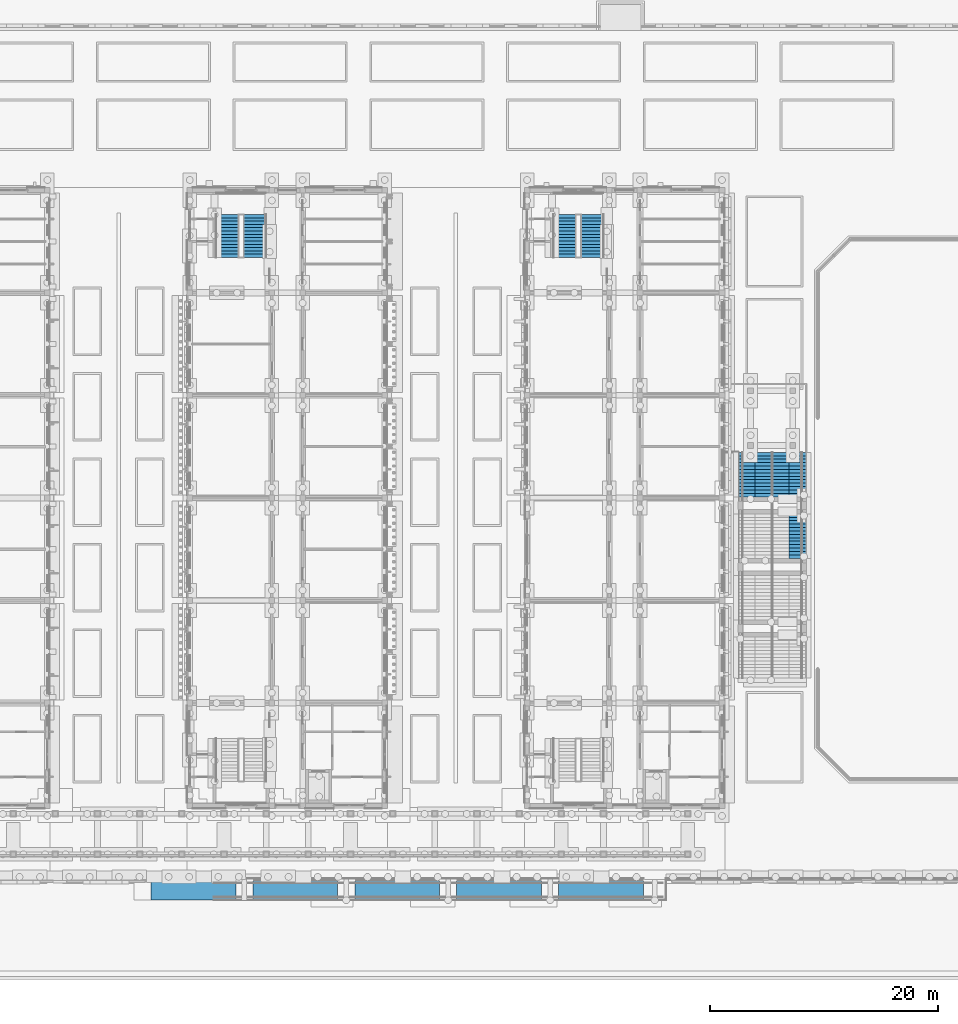
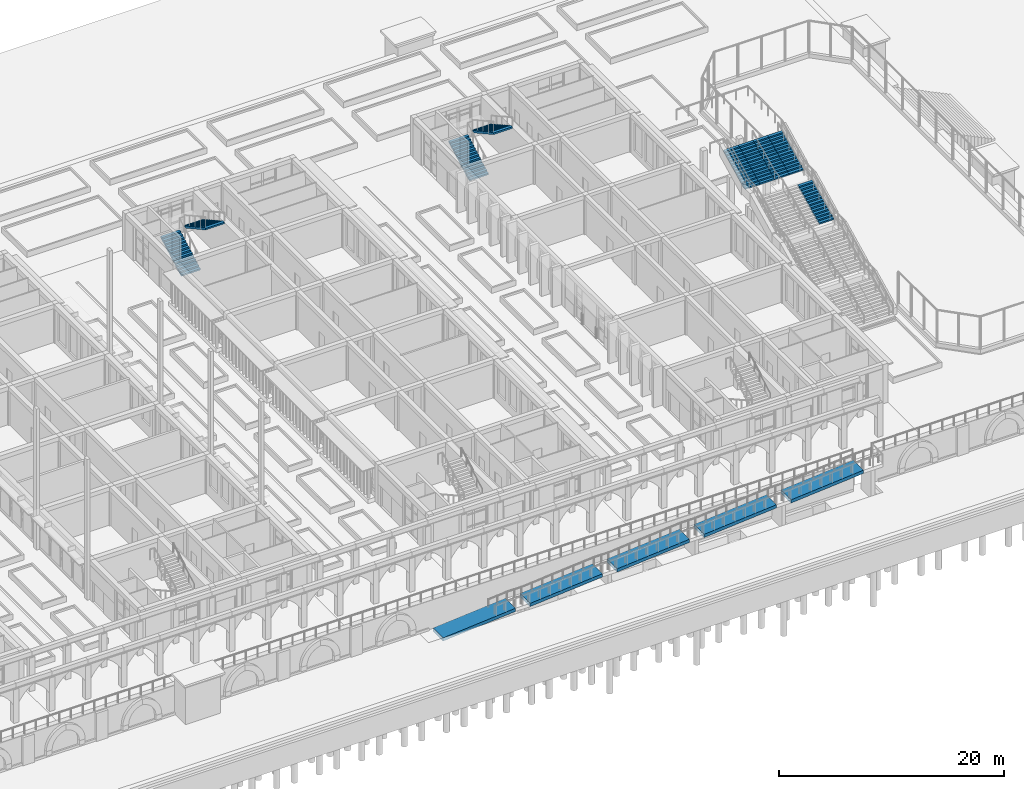
# One storey, part 77 of 161: 9 stair flights, 5 ramp flights, 4 elements without a shape of their own.
"""IFC4 building model written with IfcOpenShell, lengths in metres."""

from ifc_helpers import new_model, si_unit, direction, frame, origin, place, context, subcontext, project, spatial, polyline, outline, extrude, material, type_object, element, aggregate, save


model = new_model("IFC4")

# Units and contexts
model_context = context("Model", 3, precision=1e-05, world=origin(), true_north=direction((0.0, 1.0)))
body_context = subcontext(model_context, "Body", "Model", "MODEL_VIEW")
ifc_project = project(units=[si_unit("LENGTHUNIT", "METRE"), si_unit("AREAUNIT", "SQUARE_METRE"), si_unit("VOLUMEUNIT", "CUBIC_METRE"), si_unit("PLANEANGLEUNIT", "RADIAN"), si_unit("MASSUNIT", "GRAM", prefix="KILO")], contexts=[model_context])

# Site, building, storey
site_placement = place(None, origin())
site = spatial("IfcSite", under=ifc_project, at=site_placement, CompositionType="ELEMENT")
building_placement = place(site_placement, origin())
building = spatial("IfcBuilding", under=site, at=building_placement, Name="Elbe Cascade School", CompositionType="ELEMENT")
storey_placement = place(building_placement, origin())
storey = spatial("IfcBuildingStorey", under=building, at=storey_placement, Name="L00", CompositionType="ELEMENT", Elevation=0.0)

# Stair, stair flights
ifc_material_1 = material(Name="Concrete C30/37", Category="concrete")
stair_type_1 = type_object("IfcStairType", Name="Bar stair RC 150", PredefinedType="HALF_TURN_STAIR", material=ifc_material_1)
stair_1_placement = place(storey_placement, origin())
stair_1 = element("IfcStair", 1, at=stair_1_placement, inside=storey, type_object=stair_type_1, Name="Stair C0.N", PredefinedType="HALF_TURN_STAIR")
ifc_material_2 = material(Name="Concrete C30/37", Category="concrete")
stair_flight_type_1 = type_object("IfcStairFlightType", Name="Bar stair flight RC", PredefinedType="STRAIGHT", material=ifc_material_2)
stair_flight_1_placement = place(storey_placement, frame((131.47509765625, 54.10009765625, 0.0), z_axis=(0.0, 0.0, 1.0), x_axis=(0.0, 1.0, 0.0)))
stair_flight_1 = element("IfcStairFlight", 2, at=stair_flight_1_placement, type_object=stair_flight_type_1, Name="ST3 flight 1", NumberOfRisers=14, NumberOfTreads=13, PredefinedType="STRAIGHT", RiserHeight=0.160714286, TreadLength=0.29, context=body_context, shape_type="SweptSolid", body=[
    extrude(outline(polyline([(0.0, 0.0), (0.0, 0.16064453125), (0.2900390625, 0.16064453125), (0.2900390625, 0.321533203125), (0.580078125, 0.321533203125), (0.580078125, 0.482177734375), (0.8701171875, 0.482177734375), (0.8701171875, 0.642822265625), (1.159912109375, 0.642822265625), (1.159912109375, 0.803466796875), (1.449951171875, 0.803466796875), (1.449951171875, 0.96435546875), (1.739990234375, 0.96435546875), (1.739990234375, 1.125), (2.030029296875, 1.125), (2.030029296875, 1.28564453125), (2.320068359375, 1.28564453125), (2.320068359375, 1.446533203125), (2.610107421875, 1.446533203125), (2.610107421875, 1.607177734375), (2.89990234375, 1.607177734375), (2.89990234375, 1.767822265625), (3.18994140625, 1.767822265625), (3.18994140625, 1.928466796875), (3.47998046875, 1.928466796875), (3.47998046875, 2.08935546875), (3.77001953125, 2.08935546875), (3.77001953125, 2.25), (3.77001953125, 1.91796875), (0.309326171875, 0.0), (0.0, 0.0)])), frame((0.0, 0.97509765625, 0.0), z_axis=(0.0, -1.0, 0.0), x_axis=(1.0, 0.0, 0.0)), (0.0, 0.0, 1.0), 1.949951171875),
])
stair_flight_2_placement = place(storey_placement, frame((133.925048828125, 57.8701171875, 2.25), z_axis=(0.0, 0.0, 1.0), x_axis=(0.0, -1.0, 0.0)))
stair_flight_2 = element("IfcStairFlight", 3, at=stair_flight_2_placement, type_object=stair_flight_type_1, Name="ST3 flight 2", NumberOfRisers=14, NumberOfTreads=13, PredefinedType="STRAIGHT", RiserHeight=0.160714286, TreadLength=0.29, context=body_context, shape_type="SweptSolid", body=[
    extrude(outline(polyline([(0.0, 0.0), (0.0, 0.16064453125), (0.2900390625, 0.16064453125), (0.2900390625, 0.321533203125), (0.580078125, 0.321533203125), (0.580078125, 0.482177734375), (0.8701171875, 0.482177734375), (0.8701171875, 0.642822265625), (1.159912109375, 0.642822265625), (1.159912109375, 0.803466796875), (1.449951171875, 0.803466796875), (1.449951171875, 0.96435546875), (1.739990234375, 0.96435546875), (1.739990234375, 1.125), (2.030029296875, 1.125), (2.030029296875, 1.28564453125), (2.320068359375, 1.28564453125), (2.320068359375, 1.446533203125), (2.610107421875, 1.446533203125), (2.610107421875, 1.607177734375), (2.89990234375, 1.607177734375), (2.89990234375, 1.767822265625), (3.18994140625, 1.767822265625), (3.18994140625, 1.928466796875), (3.47998046875, 1.928466796875), (3.47998046875, 2.08935546875), (3.77001953125, 2.08935546875), (3.77001953125, 2.25), (3.77001953125, 1.91796875), (0.309326171875, 0.0), (0.0, 0.0)])), frame((0.0, 0.97509765625, 0.0), z_axis=(0.0, -1.0, 0.0), x_axis=(1.0, 0.0, 0.0)), (0.0, 0.0, 1.0), 1.949951171875),
])
aggregate(stair_1, [stair_flight_1, stair_flight_2])

stair_2_placement = place(storey_placement, origin())
stair_2 = element("IfcStair", 4, at=stair_2_placement, inside=storey, type_object=stair_type_1, Name="Stair D0.N", PredefinedType="HALF_TURN_STAIR")
stair_flight_3_placement = place(storey_placement, frame((161.074951171875, 54.10009765625, 0.0), z_axis=(0.0, 0.0, 1.0), x_axis=(0.0, 1.0, 0.0)))
stair_flight_3 = element("IfcStairFlight", 5, at=stair_flight_3_placement, type_object=stair_flight_type_1, Name="ST3 flight 1", NumberOfRisers=14, NumberOfTreads=13, PredefinedType="STRAIGHT", RiserHeight=0.160714286, TreadLength=0.29, context=body_context, shape_type="SweptSolid", body=[
    extrude(outline(polyline([(0.0, 0.0), (0.0, 0.16064453125), (0.2900390625, 0.16064453125), (0.2900390625, 0.321533203125), (0.580078125, 0.321533203125), (0.580078125, 0.482177734375), (0.8701171875, 0.482177734375), (0.8701171875, 0.642822265625), (1.159912109375, 0.642822265625), (1.159912109375, 0.803466796875), (1.449951171875, 0.803466796875), (1.449951171875, 0.96435546875), (1.739990234375, 0.96435546875), (1.739990234375, 1.125), (2.030029296875, 1.125), (2.030029296875, 1.28564453125), (2.320068359375, 1.28564453125), (2.320068359375, 1.446533203125), (2.610107421875, 1.446533203125), (2.610107421875, 1.607177734375), (2.89990234375, 1.607177734375), (2.89990234375, 1.767822265625), (3.18994140625, 1.767822265625), (3.18994140625, 1.928466796875), (3.47998046875, 1.928466796875), (3.47998046875, 2.08935546875), (3.77001953125, 2.08935546875), (3.77001953125, 2.25), (3.77001953125, 1.91796875), (0.309326171875, 0.0), (0.0, 0.0)])), frame((0.0, 0.97509765625, 0.0), z_axis=(0.0, -1.0, 0.0), x_axis=(1.0, 0.0, 0.0)), (0.0, 0.0, 1.0), 1.949951171875),
])
stair_flight_4_placement = place(storey_placement, frame((163.52490234375, 57.8701171875, 2.25), z_axis=(0.0, 0.0, 1.0), x_axis=(0.0, -1.0, 0.0)))
stair_flight_4 = element("IfcStairFlight", 6, at=stair_flight_4_placement, type_object=stair_flight_type_1, Name="ST3 flight 2", NumberOfRisers=14, NumberOfTreads=13, PredefinedType="STRAIGHT", RiserHeight=0.160714286, TreadLength=0.29, context=body_context, shape_type="SweptSolid", body=[
    extrude(outline(polyline([(0.0, 0.0), (0.0, 0.16064453125), (0.2900390625, 0.16064453125), (0.2900390625, 0.321533203125), (0.580078125, 0.321533203125), (0.580078125, 0.482177734375), (0.8701171875, 0.482177734375), (0.8701171875, 0.642822265625), (1.159912109375, 0.642822265625), (1.159912109375, 0.803466796875), (1.449951171875, 0.803466796875), (1.449951171875, 0.96435546875), (1.739990234375, 0.96435546875), (1.739990234375, 1.125), (2.030029296875, 1.125), (2.030029296875, 1.28564453125), (2.320068359375, 1.28564453125), (2.320068359375, 1.446533203125), (2.610107421875, 1.446533203125), (2.610107421875, 1.607177734375), (2.89990234375, 1.607177734375), (2.89990234375, 1.767822265625), (3.18994140625, 1.767822265625), (3.18994140625, 1.928466796875), (3.47998046875, 1.928466796875), (3.47998046875, 2.08935546875), (3.77001953125, 2.08935546875), (3.77001953125, 2.25), (3.77001953125, 1.91796875), (0.309326171875, 0.0), (0.0, 0.0)])), frame((0.0, 0.97509765625, 0.0), z_axis=(0.0, -1.0, 0.0), x_axis=(1.0, 0.0, 0.0)), (0.0, 0.0, 1.0), 1.949951171875),
])
aggregate(stair_2, [stair_flight_3, stair_flight_4])

ifc_material_3 = material(Name="Concrete C30/37", Category="concrete")
stair_type_2 = type_object("IfcStairType", Name="Cascade steps", PredefinedType="STRAIGHT_RUN_STAIR", material=ifc_material_3)
stair_3_placement = place(storey_placement, origin())
stair_3 = element("IfcStair", 7, at=stair_3_placement, inside=storey, type_object=stair_type_2, Name="Cascade steps", PredefinedType="STRAIGHT_RUN_STAIR")
ifc_material_4 = material(Name="Concrete C30/37", Category="concrete")
stair_flight_type_2 = type_object("IfcStairFlightType", Name="Cascade steps flight", PredefinedType="STRAIGHT", material=ifc_material_4)
stair_flight_5_placement = place(storey_placement, frame((181.550048828125, 27.699951171875, 4.03515625), z_axis=(0.0, 0.0, 1.0), x_axis=(0.0, 1.0, 0.0)))
stair_flight_5 = element("IfcStairFlight", 8, at=stair_flight_5_placement, type_object=stair_flight_type_2, Name="ST2 flight 12", NumberOfRisers=14, NumberOfTreads=13, PredefinedType="STRAIGHT", RiserHeight=0.149454545, TreadLength=0.3, context=body_context, shape_type="SweptSolid", body=[
    extrude(outline(polyline([(0.0, 0.0), (0.0, 0.1494140625), (0.300048828125, 0.1494140625), (0.300048828125, 0.298828125), (0.60009765625, 0.298828125), (0.60009765625, 0.4482421875), (0.89990234375, 0.4482421875), (0.89990234375, 0.597900390625), (1.199951171875, 0.597900390625), (1.199951171875, 0.747314453125), (1.5, 0.747314453125), (1.5, 0.896728515625), (1.800048828125, 0.896728515625), (1.800048828125, 1.046142578125), (2.10009765625, 1.046142578125), (2.10009765625, 1.195556640625), (2.39990234375, 1.195556640625), (2.39990234375, 1.344970703125), (2.699951171875, 1.344970703125), (2.699951171875, 1.49462890625), (3.0, 1.49462890625), (3.0, 1.64404296875), (3.300048828125, 1.64404296875), (3.300048828125, 1.79345703125), (3.60009765625, 1.79345703125), (3.60009765625, 1.94287109375), (3.89990234375, 1.94287109375), (3.89990234375, 2.09228515625), (3.89990234375, 1.775390625), (0.336181640625, 0.0), (0.0, 0.0)])), frame((0.0, 0.75, 0.0), z_axis=(0.0, -1.0, 0.0), x_axis=(1.0, 0.0, 0.0)), (0.0, 0.0, 1.0), 1.5),
])
stair_flight_6_placement = place(storey_placement, frame((177.050048828125, 33.10009765625, 6.127685546875), z_axis=(0.0, 0.0, 1.0), x_axis=(0.0, 1.0, 0.0)))
stair_flight_6 = element("IfcStairFlight", 9, at=stair_flight_6_placement, type_object=stair_flight_type_2, Name="ST2 flight 13", NumberOfRisers=14, NumberOfTreads=13, PredefinedType="STRAIGHT", RiserHeight=0.149454545, TreadLength=0.3, context=body_context, shape_type="SweptSolid", body=[
    extrude(outline(polyline([(0.0, 0.0), (0.0, 0.1494140625), (0.300048828125, 0.1494140625), (0.300048828125, 0.298828125), (0.60009765625, 0.298828125), (0.60009765625, 0.4482421875), (0.89990234375, 0.4482421875), (0.89990234375, 0.597900390625), (1.199951171875, 0.597900390625), (1.199951171875, 0.747314453125), (1.5, 0.747314453125), (1.5, 0.896728515625), (1.800048828125, 0.896728515625), (1.800048828125, 1.046142578125), (2.10009765625, 1.046142578125), (2.10009765625, 1.195556640625), (2.39990234375, 1.195556640625), (2.39990234375, 1.344970703125), (2.699951171875, 1.344970703125), (2.699951171875, 1.49462890625), (3.0, 1.49462890625), (3.0, 1.64404296875), (3.300048828125, 1.64404296875), (3.300048828125, 1.79345703125), (3.60009765625, 1.79345703125), (3.60009765625, 1.94287109375), (3.89990234375, 1.94287109375), (3.89990234375, 2.09228515625), (3.89990234375, 1.775390625), (0.336181640625, 0.0), (0.0, 0.0)])), frame((0.0, 0.75, 0.0), z_axis=(0.0, -1.0, 0.0), x_axis=(1.0, 0.0, 0.0)), (0.0, 0.0, 1.0), 1.5),
])
stair_flight_7_placement = place(storey_placement, frame((178.550048828125, 33.10009765625, 6.127685546875), z_axis=(0.0, 0.0, 1.0), x_axis=(0.0, 1.0, 0.0)))
stair_flight_7 = element("IfcStairFlight", 10, at=stair_flight_7_placement, type_object=stair_flight_type_2, Name="ST2 flight 14", NumberOfRisers=14, NumberOfTreads=13, PredefinedType="STRAIGHT", RiserHeight=0.149454545, TreadLength=0.3, context=body_context, shape_type="SweptSolid", body=[
    extrude(outline(polyline([(0.0, 0.0), (0.0, 0.1494140625), (0.300048828125, 0.1494140625), (0.300048828125, 0.298828125), (0.60009765625, 0.298828125), (0.60009765625, 0.4482421875), (0.89990234375, 0.4482421875), (0.89990234375, 0.597900390625), (1.199951171875, 0.597900390625), (1.199951171875, 0.747314453125), (1.5, 0.747314453125), (1.5, 0.896728515625), (1.800048828125, 0.896728515625), (1.800048828125, 1.046142578125), (2.10009765625, 1.046142578125), (2.10009765625, 1.195556640625), (2.39990234375, 1.195556640625), (2.39990234375, 1.344970703125), (2.699951171875, 1.344970703125), (2.699951171875, 1.49462890625), (3.0, 1.49462890625), (3.0, 1.64404296875), (3.300048828125, 1.64404296875), (3.300048828125, 1.79345703125), (3.60009765625, 1.79345703125), (3.60009765625, 1.94287109375), (3.89990234375, 1.94287109375), (3.89990234375, 2.09228515625), (3.89990234375, 1.775390625), (0.336181640625, 0.0), (0.0, 0.0)])), frame((0.0, 0.75, 0.0), z_axis=(0.0, -1.0, 0.0), x_axis=(1.0, 0.0, 0.0)), (0.0, 0.0, 1.0), 1.5),
])
stair_flight_8_placement = place(storey_placement, frame((180.050048828125, 33.10009765625, 6.127685546875), z_axis=(0.0, 0.0, 1.0), x_axis=(0.0, 1.0, 0.0)))
stair_flight_8 = element("IfcStairFlight", 11, at=stair_flight_8_placement, type_object=stair_flight_type_2, Name="ST2 flight 15", NumberOfRisers=14, NumberOfTreads=13, PredefinedType="STRAIGHT", RiserHeight=0.149454545, TreadLength=0.3, context=body_context, shape_type="SweptSolid", body=[
    extrude(outline(polyline([(0.0, 0.0), (0.0, 0.1494140625), (0.300048828125, 0.1494140625), (0.300048828125, 0.298828125), (0.60009765625, 0.298828125), (0.60009765625, 0.4482421875), (0.89990234375, 0.4482421875), (0.89990234375, 0.597900390625), (1.199951171875, 0.597900390625), (1.199951171875, 0.747314453125), (1.5, 0.747314453125), (1.5, 0.896728515625), (1.800048828125, 0.896728515625), (1.800048828125, 1.046142578125), (2.10009765625, 1.046142578125), (2.10009765625, 1.195556640625), (2.39990234375, 1.195556640625), (2.39990234375, 1.344970703125), (2.699951171875, 1.344970703125), (2.699951171875, 1.49462890625), (3.0, 1.49462890625), (3.0, 1.64404296875), (3.300048828125, 1.64404296875), (3.300048828125, 1.79345703125), (3.60009765625, 1.79345703125), (3.60009765625, 1.94287109375), (3.89990234375, 1.94287109375), (3.89990234375, 2.09228515625), (3.89990234375, 1.775390625), (0.336181640625, 0.0), (0.0, 0.0)])), frame((0.0, 0.75, 0.0), z_axis=(0.0, -1.0, 0.0), x_axis=(1.0, 0.0, 0.0)), (0.0, 0.0, 1.0), 1.5),
])
stair_flight_9_placement = place(storey_placement, frame((181.550048828125, 33.10009765625, 6.127685546875), z_axis=(0.0, 0.0, 1.0), x_axis=(0.0, 1.0, 0.0)))
stair_flight_9 = element("IfcStairFlight", 12, at=stair_flight_9_placement, type_object=stair_flight_type_2, Name="ST2 flight 16", NumberOfRisers=14, NumberOfTreads=13, PredefinedType="STRAIGHT", RiserHeight=0.149454545, TreadLength=0.3, context=body_context, shape_type="SweptSolid", body=[
    extrude(outline(polyline([(0.0, 0.0), (0.0, 0.1494140625), (0.300048828125, 0.1494140625), (0.300048828125, 0.298828125), (0.60009765625, 0.298828125), (0.60009765625, 0.4482421875), (0.89990234375, 0.4482421875), (0.89990234375, 0.597900390625), (1.199951171875, 0.597900390625), (1.199951171875, 0.747314453125), (1.5, 0.747314453125), (1.5, 0.896728515625), (1.800048828125, 0.896728515625), (1.800048828125, 1.046142578125), (2.10009765625, 1.046142578125), (2.10009765625, 1.195556640625), (2.39990234375, 1.195556640625), (2.39990234375, 1.344970703125), (2.699951171875, 1.344970703125), (2.699951171875, 1.49462890625), (3.0, 1.49462890625), (3.0, 1.64404296875), (3.300048828125, 1.64404296875), (3.300048828125, 1.79345703125), (3.60009765625, 1.79345703125), (3.60009765625, 1.94287109375), (3.89990234375, 1.94287109375), (3.89990234375, 2.09228515625), (3.89990234375, 1.775390625), (0.336181640625, 0.0), (0.0, 0.0)])), frame((0.0, 0.75, 0.0), z_axis=(0.0, -1.0, 0.0), x_axis=(1.0, 0.0, 0.0)), (0.0, 0.0, 1.0), 1.5),
])
aggregate(stair_3, [stair_flight_5, stair_flight_6, stair_flight_7, stair_flight_8, stair_flight_9])

# Ramp, ramp flights
ifc_material_5 = material(Name="Concrete C30/37", Category="concrete")
ramp_type = type_object("IfcRampType", Name="Quay ramp", PredefinedType="STRAIGHT_RUN_RAMP", material=ifc_material_5)
ramp_placement = place(storey_placement, origin())
ramp = element("IfcRamp", 13, at=ramp_placement, inside=storey, type_object=ramp_type, Name="Quay ramp", PredefinedType="STRAIGHT_RUN_RAMP")
ifc_material_6 = material(Name="Concrete C30/37", Category="concrete")
ramp_flight_type = type_object("IfcRampFlightType", Name="Quay ramp flight", PredefinedType="STRAIGHT", material=ifc_material_6)
ramp_flight_1_placement = place(storey_placement, frame((124.800048828125, -1.39990234375, -3.10009765625), z_axis=(0.0, 0.0, 1.0), x_axis=(1.0, 0.0, 0.0)))
ramp_flight_1 = element("IfcRampFlight", 14, at=ramp_flight_1_placement, type_object=ramp_flight_type, Name="RP1 flight 1", PredefinedType="STRAIGHT", context=body_context, shape_type="SweptSolid", body=[
    extrude(outline(polyline([(0.0, -0.35009765625), (7.43994140625, 0.27001953125), (7.43994140625, 0.6201171875), (0.0, 0.0), (0.0, -0.35009765625)])), frame((0.0, 0.89990234375, 0.0), z_axis=(0.0, -1.0, 0.0), x_axis=(1.0, 0.0, 0.0)), (0.0, 0.0, 1.0), 1.800048828125),
])
ramp_flight_2_placement = place(storey_placement, frame((133.739990234375, -1.39990234375, -2.47998046875), z_axis=(0.0, 0.0, 1.0), x_axis=(1.0, 0.0, 0.0)))
ramp_flight_2 = element("IfcRampFlight", 15, at=ramp_flight_2_placement, type_object=ramp_flight_type, Name="RP1 flight 2", PredefinedType="STRAIGHT", context=body_context, shape_type="SweptSolid", body=[
    extrude(outline(polyline([(0.0, -0.35009765625), (7.43994140625, 0.269775390625), (7.43994140625, 0.619873046875), (0.0, 0.0), (0.0, -0.35009765625)])), frame((0.0, 0.89990234375, 0.0), z_axis=(0.0, -1.0, 0.0), x_axis=(1.0, 0.0, 0.0)), (0.0, 0.0, 1.0), 1.800048828125),
])
ramp_flight_3_placement = place(storey_placement, frame((142.679931640625, -1.39990234375, -1.860107421875), z_axis=(0.0, 0.0, 1.0), x_axis=(1.0, 0.0, 0.0)))
ramp_flight_3 = element("IfcRampFlight", 16, at=ramp_flight_3_placement, type_object=ramp_flight_type, Name="RP1 flight 3", PredefinedType="STRAIGHT", context=body_context, shape_type="SweptSolid", body=[
    extrude(outline(polyline([(0.0, -0.35009765625), (7.440185546875, 0.27001953125), (7.440185546875, 0.6201171875), (0.0, 0.0), (0.0, -0.35009765625)])), frame((0.0, 0.89990234375, 0.0), z_axis=(0.0, -1.0, 0.0), x_axis=(1.0, 0.0, 0.0)), (0.0, 0.0, 1.0), 1.800048828125),
])
ramp_flight_4_placement = place(storey_placement, frame((151.6201171875, -1.39990234375, -1.239990234375), z_axis=(0.0, 0.0, 1.0), x_axis=(1.0, 0.0, 0.0)))
ramp_flight_4 = element("IfcRampFlight", 17, at=ramp_flight_4_placement, type_object=ramp_flight_type, Name="RP1 flight 4", PredefinedType="STRAIGHT", context=body_context, shape_type="SweptSolid", body=[
    extrude(outline(polyline([(0.0, -0.35009765625), (7.43994140625, 0.269775390625), (7.43994140625, 0.619873046875), (0.0, 0.0), (0.0, -0.35009765625)])), frame((0.0, 0.89990234375, 0.0), z_axis=(0.0, -1.0, 0.0), x_axis=(1.0, 0.0, 0.0)), (0.0, 0.0, 1.0), 1.800048828125),
])
ramp_flight_5_placement = place(storey_placement, frame((160.56005859375, -1.39990234375, -0.6201171875), z_axis=(0.0, 0.0, 1.0), x_axis=(1.0, 0.0, 0.0)))
ramp_flight_5 = element("IfcRampFlight", 18, at=ramp_flight_5_placement, type_object=ramp_flight_type, Name="RP1 flight 5", PredefinedType="STRAIGHT", context=body_context, shape_type="SweptSolid", body=[
    extrude(outline(polyline([(0.0, -0.35009765625), (7.43994140625, 0.27001953125), (7.43994140625, 0.6201171875), (0.0, 0.0), (0.0, -0.35009765625)])), frame((0.0, 0.89990234375, 0.0), z_axis=(0.0, -1.0, 0.0), x_axis=(1.0, 0.0, 0.0)), (0.0, 0.0, 1.0), 1.800048828125),
])
aggregate(ramp, [ramp_flight_1, ramp_flight_2, ramp_flight_3, ramp_flight_4, ramp_flight_5])

save(model, "model.ifc")
